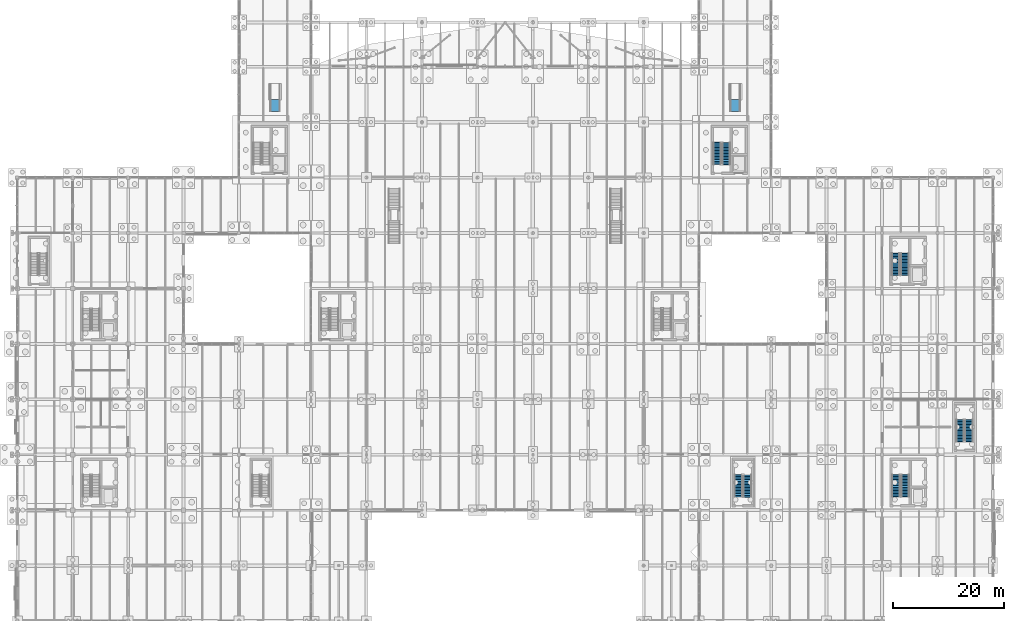
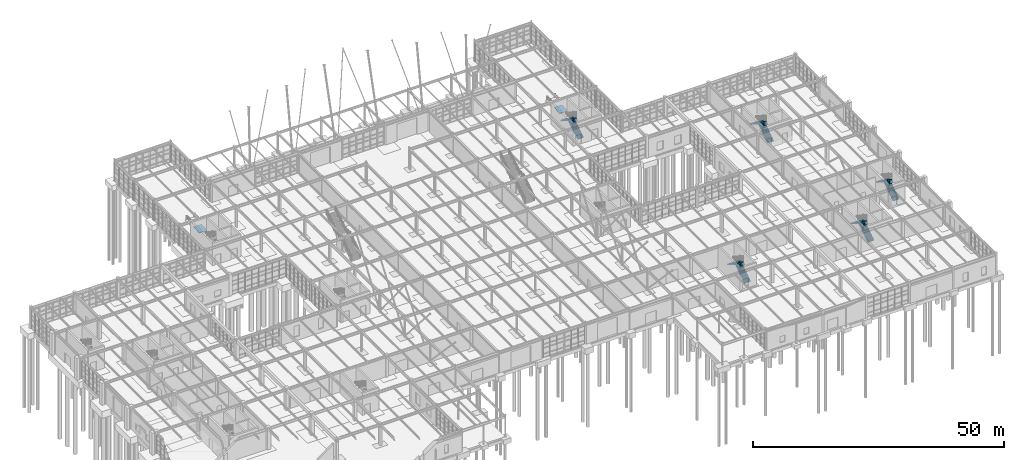
# One storey, part 129 of 145: 10 stair flights, 2 ramp flights, 7 elements without a shape of their own.
"""IFC4 building model written with IfcOpenShell, lengths in metres."""

from ifc_helpers import new_model, si_unit, direction, frame, origin, place, context, subcontext, project, spatial, polyline, outline, extrude, material, layer, layer_set, type_object, element, aggregate, save


model = new_model("IFC4")

# Units and contexts
model_context = context("Model", 3, precision=1e-05, world=origin(), true_north=direction((0.0, 1.0)))
body_context = subcontext(model_context, "Body", "Model", "MODEL_VIEW")
ifc_project = project(units=[si_unit("LENGTHUNIT", "METRE"), si_unit("AREAUNIT", "SQUARE_METRE"), si_unit("VOLUMEUNIT", "CUBIC_METRE"), si_unit("PLANEANGLEUNIT", "RADIAN"), si_unit("MASSUNIT", "GRAM", prefix="KILO"), si_unit("THERMODYNAMICTEMPERATUREUNIT", "KELVIN"), si_unit("POWERUNIT", "WATT")], contexts=[model_context])

# Site, building, storey
site_placement = place(None, origin())
site = spatial("IfcSite", under=ifc_project, at=site_placement, CompositionType="ELEMENT")
building_placement = place(site_placement, origin())
building = spatial("IfcBuilding", under=site, at=building_placement, Name="Korenveer Ferry Terminal", CompositionType="ELEMENT")
storey_placement = place(building_placement, origin())
storey = spatial("IfcBuildingStorey", under=building, at=storey_placement, Name="L00", CompositionType="ELEMENT", Elevation=0.0)

# Stair, stair flights
ifc_material_1 = material(Name="Concrete C40/50", Category="concrete")
stair_type_1 = type_object("IfcStairType", Name="INT-ST-01", PredefinedType="HALF_TURN_STAIR", material=ifc_material_1)
stair_1_placement = place(storey_placement, frame((160.175048828125, 22.449951171875, 0.0)))
stair_1 = element("IfcStair", 1, at=stair_1_placement, inside=storey, type_object=stair_type_1, Name="L00 East Firefighting Core K3", PredefinedType="HALF_TURN_STAIR")
stair_flight_type_1 = type_object("IfcStairFlightType", Name="INT-SF-01", PredefinedType="STRAIGHT", material=ifc_material_1)
stair_flight_1_placement = place(storey_placement, frame((160.175048828125, 22.449951171875, 0.0), z_axis=(0.0, 0.0, 1.0), x_axis=(0.0, 1.0, 0.0)))
stair_flight_1 = element("IfcStairFlight", 2, at=stair_flight_1_placement, type_object=stair_flight_type_1, Name="ST03 flight 1", NumberOfRisers=15, NumberOfTreads=14, PredefinedType="STRAIGHT", RiserHeight=0.18, TreadLength=0.28, context=body_context, shape_type="SweptSolid", body=[
    extrude(outline(polyline([(-0.080078125, 0.0), (0.0, 0.0), (0.0, 0.179931640625), (0.280029296875, 0.179931640625), (0.280029296875, 0.360107421875), (0.56005859375, 0.360107421875), (0.56005859375, 0.5400390625), (0.840087890625, 0.5400390625), (0.840087890625, 0.719970703125), (1.1201171875, 0.719970703125), (1.1201171875, 0.89990234375), (1.39990234375, 0.89990234375), (1.39990234375, 1.080078125), (1.679931640625, 1.080078125), (1.679931640625, 1.260009765625), (1.9599609375, 1.260009765625), (1.9599609375, 1.43994140625), (2.239990234375, 1.43994140625), (2.239990234375, 1.6201171875), (2.52001953125, 1.6201171875), (2.52001953125, 1.800048828125), (2.800048828125, 1.800048828125), (2.800048828125, 1.97998046875), (3.080078125, 1.97998046875), (3.080078125, 2.159912109375), (3.360107421875, 2.159912109375), (3.360107421875, 2.340087890625), (3.639892578125, 2.340087890625), (3.639892578125, 2.52001953125), (3.919921875, 2.52001953125), (3.919921875, 2.699951171875), (3.97998046875, 2.699951171875), (3.97998046875, 2.550048828125), (3.919921875, 2.341796875), (0.277099609375, 0.0), (0.0, -0.10009765625), (-0.080078125, -0.10009765625), (-0.080078125, 0.0)])), frame((0.0, 0.72509765625, 0.0), z_axis=(0.0, -1.0, 0.0), x_axis=(1.0, 0.0, 0.0)), (0.0, 0.0, 1.0), 1.449951171875),
])
stair_flight_2_placement = place(storey_placement, frame((158.52490234375, 26.3701171875, 2.699951171875), z_axis=(0.0, 0.0, 1.0), x_axis=(0.0, -1.0, 0.0)))
stair_flight_2 = element("IfcStairFlight", 3, at=stair_flight_2_placement, type_object=stair_flight_type_1, Name="ST03 flight 2", NumberOfRisers=15, NumberOfTreads=14, PredefinedType="STRAIGHT", RiserHeight=0.18, TreadLength=0.28, context=body_context, shape_type="SweptSolid", body=[
    extrude(outline(polyline([(-0.080078125, 0.0), (0.0, 0.0), (0.0, 0.179931640625), (0.280029296875, 0.179931640625), (0.280029296875, 0.360107421875), (0.56005859375, 0.360107421875), (0.56005859375, 0.5400390625), (0.840087890625, 0.5400390625), (0.840087890625, 0.719970703125), (1.1201171875, 0.719970703125), (1.1201171875, 0.89990234375), (1.39990234375, 0.89990234375), (1.39990234375, 1.080078125), (1.679931640625, 1.080078125), (1.679931640625, 1.260009765625), (1.9599609375, 1.260009765625), (1.9599609375, 1.43994140625), (2.239990234375, 1.43994140625), (2.239990234375, 1.6201171875), (2.52001953125, 1.6201171875), (2.52001953125, 1.800048828125), (2.800048828125, 1.800048828125), (2.800048828125, 1.97998046875), (3.080078125, 1.97998046875), (3.080078125, 2.159912109375), (3.360107421875, 2.159912109375), (3.360107421875, 2.340087890625), (3.639892578125, 2.340087890625), (3.639892578125, 2.52001953125), (3.919921875, 2.52001953125), (3.919921875, 2.699951171875), (3.97998046875, 2.699951171875), (3.97998046875, 2.550048828125), (3.919921875, 2.341796875), (0.277099609375, 0.0), (0.0, -0.10009765625), (-0.080078125, -0.10009765625), (-0.080078125, 0.0)])), frame((0.0, 0.72509765625, 0.0), z_axis=(0.0, -1.0, 0.0), x_axis=(1.0, 0.0, 0.0)), (0.0, 0.0, 1.0), 1.449951171875),
])
aggregate(stair_1, [stair_flight_1, stair_flight_2])

stair_2_placement = place(storey_placement, frame((160.135009765625, 62.409912109375, 0.0)))
stair_2 = element("IfcStair", 4, at=stair_2_placement, inside=storey, type_object=stair_type_1, Name="L00 East Schengen Core K4", PredefinedType="HALF_TURN_STAIR")
stair_flight_3_placement = place(storey_placement, frame((160.135009765625, 62.409912109375, 0.0), z_axis=(0.0, 0.0, 1.0), x_axis=(0.0, 1.0, 0.0)))
stair_flight_3 = element("IfcStairFlight", 5, at=stair_flight_3_placement, type_object=stair_flight_type_1, Name="ST04 flight 1", NumberOfRisers=15, NumberOfTreads=14, PredefinedType="STRAIGHT", RiserHeight=0.18, TreadLength=0.28, context=body_context, shape_type="SweptSolid", body=[
    extrude(outline(polyline([(-0.080078125, 0.0), (0.0, 0.0), (0.0, 0.179931640625), (0.280029296875, 0.179931640625), (0.280029296875, 0.360107421875), (0.56005859375, 0.360107421875), (0.56005859375, 0.5400390625), (0.840087890625, 0.5400390625), (0.840087890625, 0.719970703125), (1.1201171875, 0.719970703125), (1.1201171875, 0.89990234375), (1.39990234375, 0.89990234375), (1.39990234375, 1.080078125), (1.679931640625, 1.080078125), (1.679931640625, 1.260009765625), (1.9599609375, 1.260009765625), (1.9599609375, 1.43994140625), (2.239990234375, 1.43994140625), (2.239990234375, 1.6201171875), (2.52001953125, 1.6201171875), (2.52001953125, 1.800048828125), (2.800048828125, 1.800048828125), (2.800048828125, 1.97998046875), (3.080078125, 1.97998046875), (3.080078125, 2.159912109375), (3.360107421875, 2.159912109375), (3.360107421875, 2.340087890625), (3.639892578125, 2.340087890625), (3.639892578125, 2.52001953125), (3.919921875, 2.52001953125), (3.919921875, 2.699951171875), (3.97998046875, 2.699951171875), (3.97998046875, 2.550048828125), (3.919921875, 2.341796875), (0.277099609375, 0.0), (0.0, -0.10009765625), (-0.080078125, -0.10009765625), (-0.080078125, 0.0)])), frame((0.0, 0.72509765625, 0.0), z_axis=(0.0, -1.0, 0.0), x_axis=(1.0, 0.0, 0.0)), (0.0, 0.0, 1.0), 1.449951171875),
])
stair_flight_4_placement = place(storey_placement, frame((158.485107421875, 66.330078125, 2.699951171875), z_axis=(0.0, 0.0, 1.0), x_axis=(0.0, -1.0, 0.0)))
stair_flight_4 = element("IfcStairFlight", 6, at=stair_flight_4_placement, type_object=stair_flight_type_1, Name="ST04 flight 2", NumberOfRisers=15, NumberOfTreads=14, PredefinedType="STRAIGHT", RiserHeight=0.18, TreadLength=0.28, context=body_context, shape_type="SweptSolid", body=[
    extrude(outline(polyline([(-0.080078125, 0.0), (0.0, 0.0), (0.0, 0.179931640625), (0.280029296875, 0.179931640625), (0.280029296875, 0.360107421875), (0.56005859375, 0.360107421875), (0.56005859375, 0.5400390625), (0.840087890625, 0.5400390625), (0.840087890625, 0.719970703125), (1.1201171875, 0.719970703125), (1.1201171875, 0.89990234375), (1.39990234375, 0.89990234375), (1.39990234375, 1.080078125), (1.679931640625, 1.080078125), (1.679931640625, 1.260009765625), (1.9599609375, 1.260009765625), (1.9599609375, 1.43994140625), (2.239990234375, 1.43994140625), (2.239990234375, 1.6201171875), (2.52001953125, 1.6201171875), (2.52001953125, 1.800048828125), (2.800048828125, 1.800048828125), (2.800048828125, 1.97998046875), (3.080078125, 1.97998046875), (3.080078125, 2.159912109375), (3.360107421875, 2.159912109375), (3.360107421875, 2.340087890625), (3.639892578125, 2.340087890625), (3.639892578125, 2.52001953125), (3.919921875, 2.52001953125), (3.919921875, 2.699951171875), (3.97998046875, 2.699951171875), (3.97998046875, 2.550048828125), (3.919921875, 2.341796875), (0.277099609375, 0.0), (0.0, -0.10009765625), (-0.080078125, -0.10009765625), (-0.080078125, 0.0)])), frame((0.0, 0.72509765625, 0.0), z_axis=(0.0, -1.0, 0.0), x_axis=(1.0, 0.0, 0.0)), (0.0, 0.0, 1.0), 1.449951171875),
])
aggregate(stair_2, [stair_flight_3, stair_flight_4])

stair_3_placement = place(storey_placement, frame((131.735107421875, 22.409912109375, 0.0)))
stair_3 = element("IfcStair", 7, at=stair_3_placement, inside=storey, type_object=stair_type_1, Name="L00 Arrivals East Stair Core K10", PredefinedType="HALF_TURN_STAIR")
stair_flight_5_placement = place(storey_placement, frame((131.735107421875, 22.409912109375, 0.0), z_axis=(0.0, 0.0, 1.0), x_axis=(0.0, 1.0, 0.0)))
stair_flight_5 = element("IfcStairFlight", 8, at=stair_flight_5_placement, type_object=stair_flight_type_1, Name="ST10 flight 1", NumberOfRisers=15, NumberOfTreads=14, PredefinedType="STRAIGHT", RiserHeight=0.18, TreadLength=0.28, context=body_context, shape_type="SweptSolid", body=[
    extrude(outline(polyline([(-0.080078125, 0.0), (0.0, 0.0), (0.0, 0.179931640625), (0.280029296875, 0.179931640625), (0.280029296875, 0.360107421875), (0.56005859375, 0.360107421875), (0.56005859375, 0.5400390625), (0.840087890625, 0.5400390625), (0.840087890625, 0.719970703125), (1.1201171875, 0.719970703125), (1.1201171875, 0.89990234375), (1.39990234375, 0.89990234375), (1.39990234375, 1.080078125), (1.679931640625, 1.080078125), (1.679931640625, 1.260009765625), (1.9599609375, 1.260009765625), (1.9599609375, 1.43994140625), (2.239990234375, 1.43994140625), (2.239990234375, 1.6201171875), (2.52001953125, 1.6201171875), (2.52001953125, 1.800048828125), (2.800048828125, 1.800048828125), (2.800048828125, 1.97998046875), (3.080078125, 1.97998046875), (3.080078125, 2.159912109375), (3.360107421875, 2.159912109375), (3.360107421875, 2.340087890625), (3.639892578125, 2.340087890625), (3.639892578125, 2.52001953125), (3.919921875, 2.52001953125), (3.919921875, 2.699951171875), (3.97998046875, 2.699951171875), (3.97998046875, 2.550048828125), (3.919921875, 2.341796875), (0.277099609375, 0.0), (0.0, -0.10009765625), (-0.080078125, -0.10009765625), (-0.080078125, 0.0)])), frame((0.0, 0.72509765625, 0.0), z_axis=(0.0, -1.0, 0.0), x_axis=(1.0, 0.0, 0.0)), (0.0, 0.0, 1.0), 1.449951171875),
])
stair_flight_6_placement = place(storey_placement, frame((130.0849609375, 26.330078125, 2.699951171875), z_axis=(0.0, 0.0, 1.0), x_axis=(0.0, -1.0, 0.0)))
stair_flight_6 = element("IfcStairFlight", 9, at=stair_flight_6_placement, type_object=stair_flight_type_1, Name="ST10 flight 2", NumberOfRisers=15, NumberOfTreads=14, PredefinedType="STRAIGHT", RiserHeight=0.18, TreadLength=0.28, context=body_context, shape_type="SweptSolid", body=[
    extrude(outline(polyline([(-0.080078125, 0.0), (0.0, 0.0), (0.0, 0.179931640625), (0.280029296875, 0.179931640625), (0.280029296875, 0.360107421875), (0.56005859375, 0.360107421875), (0.56005859375, 0.5400390625), (0.840087890625, 0.5400390625), (0.840087890625, 0.719970703125), (1.1201171875, 0.719970703125), (1.1201171875, 0.89990234375), (1.39990234375, 0.89990234375), (1.39990234375, 1.080078125), (1.679931640625, 1.080078125), (1.679931640625, 1.260009765625), (1.9599609375, 1.260009765625), (1.9599609375, 1.43994140625), (2.239990234375, 1.43994140625), (2.239990234375, 1.6201171875), (2.52001953125, 1.6201171875), (2.52001953125, 1.800048828125), (2.800048828125, 1.800048828125), (2.800048828125, 1.97998046875), (3.080078125, 1.97998046875), (3.080078125, 2.159912109375), (3.360107421875, 2.159912109375), (3.360107421875, 2.340087890625), (3.639892578125, 2.340087890625), (3.639892578125, 2.52001953125), (3.919921875, 2.52001953125), (3.919921875, 2.699951171875), (3.97998046875, 2.699951171875), (3.97998046875, 2.550048828125), (3.919921875, 2.341796875), (0.277099609375, 0.0), (0.0, -0.10009765625), (-0.080078125, -0.10009765625), (-0.080078125, 0.0)])), frame((0.0, 0.72509765625, 0.0), z_axis=(0.0, -1.0, 0.0), x_axis=(1.0, 0.0, 0.0)), (0.0, 0.0, 1.0), 1.449951171875),
])
aggregate(stair_3, [stair_flight_5, stair_flight_6])

stair_type_2 = type_object("IfcStairType", Name="INT-ST-07", PredefinedType="HALF_TURN_STAIR", material=ifc_material_1)
stair_4_placement = place(storey_placement, frame((127.889892578125, 82.3798828125, 0.0)))
stair_4 = element("IfcStair", 10, at=stair_4_placement, inside=storey, type_object=stair_type_2, Name="L00 East Berth Pier Core K8", PredefinedType="HALF_TURN_STAIR")
stair_flight_type_2 = type_object("IfcStairFlightType", Name="INT-SF-07", PredefinedType="STRAIGHT", material=ifc_material_1)
stair_flight_7_placement = place(storey_placement, frame((127.889892578125, 82.3798828125, 0.0), z_axis=(0.0, 0.0, 1.0), x_axis=(0.0, 1.0, 0.0)))
stair_flight_7 = element("IfcStairFlight", 11, at=stair_flight_7_placement, type_object=stair_flight_type_2, Name="ST08 flight 1", NumberOfRisers=15, NumberOfTreads=14, PredefinedType="STRAIGHT", RiserHeight=0.18, TreadLength=0.28, context=body_context, shape_type="SweptSolid", body=[
    extrude(outline(polyline([(-0.080078125, 0.0), (0.0, 0.0), (0.0, 0.179931640625), (0.280029296875, 0.179931640625), (0.280029296875, 0.360107421875), (0.56005859375, 0.360107421875), (0.56005859375, 0.5400390625), (0.840087890625, 0.5400390625), (0.840087890625, 0.719970703125), (1.1201171875, 0.719970703125), (1.1201171875, 0.89990234375), (1.39990234375, 0.89990234375), (1.39990234375, 1.080078125), (1.679931640625, 1.080078125), (1.679931640625, 1.260009765625), (1.9599609375, 1.260009765625), (1.9599609375, 1.43994140625), (2.239990234375, 1.43994140625), (2.239990234375, 1.6201171875), (2.52001953125, 1.6201171875), (2.52001953125, 1.800048828125), (2.800048828125, 1.800048828125), (2.800048828125, 1.97998046875), (3.080078125, 1.97998046875), (3.080078125, 2.159912109375), (3.360107421875, 2.159912109375), (3.360107421875, 2.340087890625), (3.639892578125, 2.340087890625), (3.639892578125, 2.52001953125), (3.919921875, 2.52001953125), (3.919921875, 2.699951171875), (3.97998046875, 2.699951171875), (3.97998046875, 2.550048828125), (3.919921875, 2.341796875), (0.277099609375, 0.0), (0.0, -0.10009765625), (-0.080078125, -0.10009765625), (-0.080078125, 0.0)])), frame((0.0, 0.7099609375, 0.0), z_axis=(0.0, -1.0, 0.0), x_axis=(1.0, 0.0, 0.0)), (0.0, 0.0, 1.0), 1.419921875),
])
stair_flight_8_placement = place(storey_placement, frame((126.27001953125, 86.300048828125, 2.699951171875), z_axis=(0.0, 0.0, 1.0), x_axis=(0.0, -1.0, 0.0)))
stair_flight_8 = element("IfcStairFlight", 12, at=stair_flight_8_placement, type_object=stair_flight_type_2, Name="ST08 flight 2", NumberOfRisers=15, NumberOfTreads=14, PredefinedType="STRAIGHT", RiserHeight=0.18, TreadLength=0.28, context=body_context, shape_type="SweptSolid", body=[
    extrude(outline(polyline([(-0.080078125, 0.0), (0.0, 0.0), (0.0, 0.179931640625), (0.280029296875, 0.179931640625), (0.280029296875, 0.360107421875), (0.56005859375, 0.360107421875), (0.56005859375, 0.5400390625), (0.840087890625, 0.5400390625), (0.840087890625, 0.719970703125), (1.1201171875, 0.719970703125), (1.1201171875, 0.89990234375), (1.39990234375, 0.89990234375), (1.39990234375, 1.080078125), (1.679931640625, 1.080078125), (1.679931640625, 1.260009765625), (1.9599609375, 1.260009765625), (1.9599609375, 1.43994140625), (2.239990234375, 1.43994140625), (2.239990234375, 1.6201171875), (2.52001953125, 1.6201171875), (2.52001953125, 1.800048828125), (2.800048828125, 1.800048828125), (2.800048828125, 1.97998046875), (3.080078125, 1.97998046875), (3.080078125, 2.159912109375), (3.360107421875, 2.159912109375), (3.360107421875, 2.340087890625), (3.639892578125, 2.340087890625), (3.639892578125, 2.52001953125), (3.919921875, 2.52001953125), (3.919921875, 2.699951171875), (3.97998046875, 2.699951171875), (3.97998046875, 2.550048828125), (3.919921875, 2.341796875), (0.277099609375, 0.0), (0.0, -0.10009765625), (-0.080078125, -0.10009765625), (-0.080078125, 0.0)])), frame((0.0, 0.7099609375, 0.0), z_axis=(0.0, -1.0, 0.0), x_axis=(1.0, 0.0, 0.0)), (0.0, 0.0, 1.0), 1.419921875),
])
aggregate(stair_4, [stair_flight_7, stair_flight_8])

stair_5_placement = place(storey_placement, frame((171.68994140625, 32.3798828125, 0.0)))
stair_5 = element("IfcStair", 13, at=stair_5_placement, inside=storey, type_object=stair_type_2, Name="L00 Schengen South Stair Core K12", PredefinedType="HALF_TURN_STAIR")
stair_flight_9_placement = place(storey_placement, frame((171.68994140625, 32.3798828125, 0.0), z_axis=(0.0, 0.0, 1.0), x_axis=(0.0, 1.0, 0.0)))
stair_flight_9 = element("IfcStairFlight", 14, at=stair_flight_9_placement, type_object=stair_flight_type_2, Name="ST12 flight 1", NumberOfRisers=15, NumberOfTreads=14, PredefinedType="STRAIGHT", RiserHeight=0.18, TreadLength=0.28, context=body_context, shape_type="SweptSolid", body=[
    extrude(outline(polyline([(-0.080078125, 0.0), (0.0, 0.0), (0.0, 0.179931640625), (0.280029296875, 0.179931640625), (0.280029296875, 0.360107421875), (0.56005859375, 0.360107421875), (0.56005859375, 0.5400390625), (0.840087890625, 0.5400390625), (0.840087890625, 0.719970703125), (1.1201171875, 0.719970703125), (1.1201171875, 0.89990234375), (1.39990234375, 0.89990234375), (1.39990234375, 1.080078125), (1.679931640625, 1.080078125), (1.679931640625, 1.260009765625), (1.9599609375, 1.260009765625), (1.9599609375, 1.43994140625), (2.239990234375, 1.43994140625), (2.239990234375, 1.6201171875), (2.52001953125, 1.6201171875), (2.52001953125, 1.800048828125), (2.800048828125, 1.800048828125), (2.800048828125, 1.97998046875), (3.080078125, 1.97998046875), (3.080078125, 2.159912109375), (3.360107421875, 2.159912109375), (3.360107421875, 2.340087890625), (3.639892578125, 2.340087890625), (3.639892578125, 2.52001953125), (3.919921875, 2.52001953125), (3.919921875, 2.699951171875), (3.97998046875, 2.699951171875), (3.97998046875, 2.550048828125), (3.919921875, 2.341796875), (0.277099609375, 0.0), (0.0, -0.10009765625), (-0.080078125, -0.10009765625), (-0.080078125, 0.0)])), frame((0.0, 0.7099609375, 0.0), z_axis=(0.0, -1.0, 0.0), x_axis=(1.0, 0.0, 0.0)), (0.0, 0.0, 1.0), 1.419921875),
])
stair_flight_10_placement = place(storey_placement, frame((170.070068359375, 36.300048828125, 2.699951171875), z_axis=(0.0, 0.0, 1.0), x_axis=(0.0, -1.0, 0.0)))
stair_flight_10 = element("IfcStairFlight", 15, at=stair_flight_10_placement, type_object=stair_flight_type_2, Name="ST12 flight 2", NumberOfRisers=15, NumberOfTreads=14, PredefinedType="STRAIGHT", RiserHeight=0.18, TreadLength=0.28, context=body_context, shape_type="SweptSolid", body=[
    extrude(outline(polyline([(-0.080078125, 0.0), (0.0, 0.0), (0.0, 0.179931640625), (0.280029296875, 0.179931640625), (0.280029296875, 0.360107421875), (0.56005859375, 0.360107421875), (0.56005859375, 0.5400390625), (0.840087890625, 0.5400390625), (0.840087890625, 0.719970703125), (1.1201171875, 0.719970703125), (1.1201171875, 0.89990234375), (1.39990234375, 0.89990234375), (1.39990234375, 1.080078125), (1.679931640625, 1.080078125), (1.679931640625, 1.260009765625), (1.9599609375, 1.260009765625), (1.9599609375, 1.43994140625), (2.239990234375, 1.43994140625), (2.239990234375, 1.6201171875), (2.52001953125, 1.6201171875), (2.52001953125, 1.800048828125), (2.800048828125, 1.800048828125), (2.800048828125, 1.97998046875), (3.080078125, 1.97998046875), (3.080078125, 2.159912109375), (3.360107421875, 2.159912109375), (3.360107421875, 2.340087890625), (3.639892578125, 2.340087890625), (3.639892578125, 2.52001953125), (3.919921875, 2.52001953125), (3.919921875, 2.699951171875), (3.97998046875, 2.699951171875), (3.97998046875, 2.550048828125), (3.919921875, 2.341796875), (0.277099609375, 0.0), (0.0, -0.10009765625), (-0.080078125, -0.10009765625), (-0.080078125, 0.0)])), frame((0.0, 0.7099609375, 0.0), z_axis=(0.0, -1.0, 0.0), x_axis=(1.0, 0.0, 0.0)), (0.0, 0.0, 1.0), 1.419921875),
])
aggregate(stair_5, [stair_flight_9, stair_flight_10])

# Ramp, ramp flight
ifc_material_2 = material(Name="Concrete C35/45", Category="concrete")
ramp_type = type_object("IfcRampType", Name="INT-RMP-ACC", PredefinedType="STRAIGHT_RUN_RAMP", material=ifc_material_2)
ramp_1_placement = place(storey_placement, frame((46.5, 92.0, 0.0)))
ramp_1 = element("IfcRamp", 16, at=ramp_1_placement, inside=storey, type_object=ramp_type, Name="West Mooring Threshold Ramp", PredefinedType="STRAIGHT_RUN_RAMP")
ifc_layer = layer(ifc_material_2, 0.179931640625)
ifc_layer_set = layer_set([ifc_layer], Name="Concrete C35/45")
ramp_flight_type = type_object("IfcRampFlightType", Name="INT-RMF-ACC", PredefinedType="STRAIGHT", material=ifc_layer_set)
ramp_flight_1_placement = place(storey_placement, frame((46.5, 92.0, 0.0), z_axis=(0.0, 0.0, 1.0), x_axis=(0.0, 1.0, 0.0)))
ramp_flight_1 = element("IfcRampFlight", 17, at=ramp_flight_1_placement, type_object=ramp_flight_type, Name="West Mooring Threshold Ramp flight", PredefinedType="STRAIGHT", context=body_context, shape_type="SweptSolid", body=[
    extrude(outline(polyline([(-0.080078125, 0.0), (0.0, 0.0), (2.0, 0.159912109375), (2.080078125, 0.159912109375), (2.080078125, 0.0), (2.0, 0.0), (0.0, -0.159912109375), (-0.080078125, -0.159912109375), (-0.080078125, 0.0)])), frame((0.0, 0.89990234375, 0.0), z_axis=(0.0, -1.0, 0.0), x_axis=(1.0, 0.0, 0.0)), (0.0, 0.0, 1.0), 1.800048828125),
])
aggregate(ramp_1, [ramp_flight_1])

ramp_2_placement = place(storey_placement, frame((129.5, 92.0, 0.0)))
ramp_2 = element("IfcRamp", 18, at=ramp_2_placement, inside=storey, type_object=ramp_type, Name="East Mooring Threshold Ramp", PredefinedType="STRAIGHT_RUN_RAMP")
ramp_flight_2_placement = place(storey_placement, frame((129.5, 92.0, 0.0), z_axis=(0.0, 0.0, 1.0), x_axis=(0.0, 1.0, 0.0)))
ramp_flight_2 = element("IfcRampFlight", 19, at=ramp_flight_2_placement, type_object=ramp_flight_type, Name="East Mooring Threshold Ramp flight", PredefinedType="STRAIGHT", context=body_context, shape_type="SweptSolid", body=[
    extrude(outline(polyline([(-0.080078125, 0.0), (0.0, 0.0), (2.0, 0.159912109375), (2.080078125, 0.159912109375), (2.080078125, 0.0), (2.0, 0.0), (0.0, -0.159912109375), (-0.080078125, -0.159912109375), (-0.080078125, 0.0)])), frame((0.0, 0.89990234375, 0.0), z_axis=(0.0, -1.0, 0.0), x_axis=(1.0, 0.0, 0.0)), (0.0, 0.0, 1.0), 1.800048828125),
])
aggregate(ramp_2, [ramp_flight_2])

save(model, "model.ifc")
